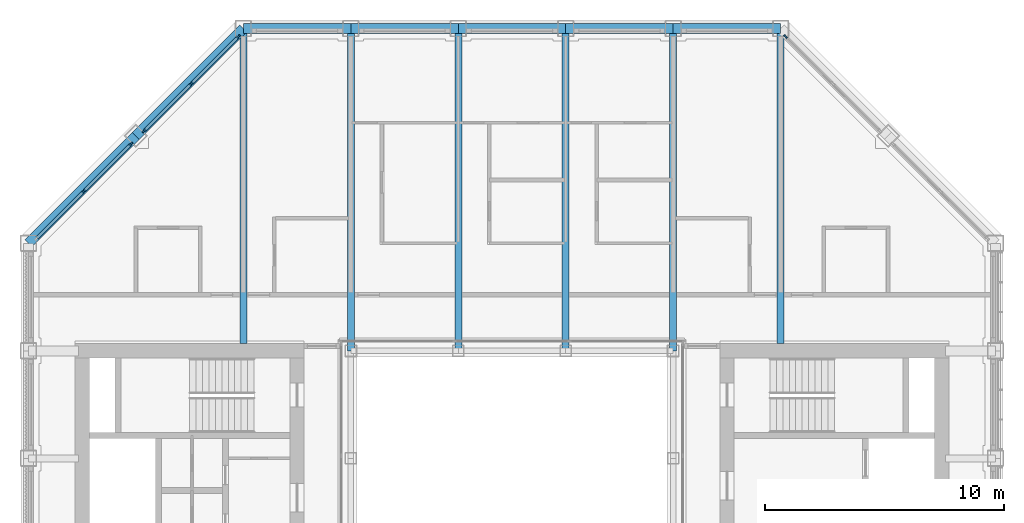
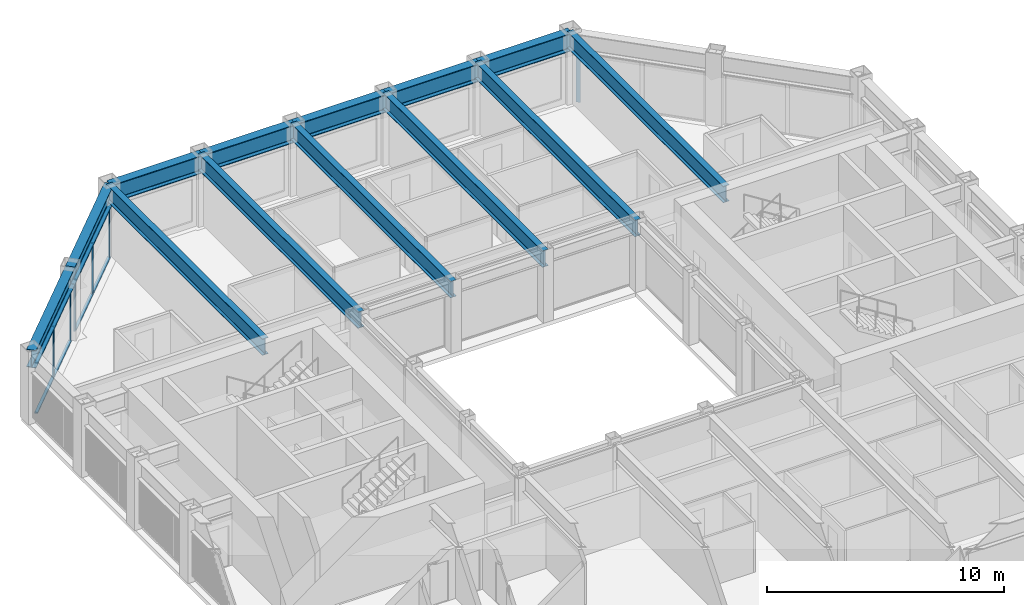
# One storey, part 6 of 17: 14 members, 13 beams, 3 elements without a shape of their own.
"""IFC4 building model written with IfcOpenShell, lengths in metres."""

from ifc_helpers import new_model, si_unit, direction, frame, origin, origin_2d, place, context, subcontext, project, spatial, rectangle, i_section, extrude, material, material_profile, profile_set, type_object, element, aggregate, save


model = new_model("IFC4")

# Units and contexts
model_context = context("Model", 3, precision=1e-05, world=origin(), true_north=direction((0.0, 1.0)))
body_context = subcontext(model_context, "Body", "Model", "MODEL_VIEW")
ifc_project = project(units=[si_unit("LENGTHUNIT", "METRE"), si_unit("AREAUNIT", "SQUARE_METRE"), si_unit("VOLUMEUNIT", "CUBIC_METRE"), si_unit("PLANEANGLEUNIT", "RADIAN"), si_unit("MASSUNIT", "GRAM", prefix="KILO")], contexts=[model_context])

# Site, building, storey
site_placement = place(None, origin())
site = spatial("IfcSite", under=ifc_project, at=site_placement, CompositionType="ELEMENT")
building_placement = place(site_placement, origin())
building = spatial("IfcBuilding", under=site, at=building_placement, Name="Msasa Ring Tower", CompositionType="ELEMENT")
storey_placement = place(building_placement, frame((0.0, 0.0, 238.300048828125)))
storey = spatial("IfcBuildingStorey", under=building, at=storey_placement, Name="L62", CompositionType="ELEMENT", Elevation=238.300048828125)

# Curtain wall, member
ifc_material_1 = material(Name="Aluminium curtain wall with clear glass", Category="aluminium")
curtain_wall_type = type_object("IfcCurtainWallType", Name="CW-C CHAMFER CORNER CURTAIN WALL", PredefinedType="NOTDEFINED", material=ifc_material_1)
curtain_wall_1_placement = place(storey_placement, origin())
curtain_wall_1 = element("IfcCurtainWall", 1, at=curtain_wall_1_placement, inside=storey, type_object=curtain_wall_type, Name="Chamfer corner curtain wall NE L62", PredefinedType="NOTDEFINED")
ifc_material_2 = material(Name="Aluminium mullion", Category="aluminium")
ifc_material_profile_1 = material_profile(ifc_material_2, rectangle(XDim=0.06494140625, YDim=0.179931640625, at=origin_2d()), Name="AL 65x180")
ifc_profile_set_1 = profile_set([ifc_material_profile_1], Name="Aluminium mullion")
member_type_1 = type_object("IfcMemberType", Name="CW-C MULLION 65x180", PredefinedType="MULLION", material=ifc_profile_set_1)
member_1_placement = place(storey_placement, frame((11.453369140625, 19.9052734375, 0.0), z_axis=(0.0, 0.0, 1.0), x_axis=(-0.707106781187, -0.707106781187, 0.0)))
member_1 = element("IfcMember", 2, at=member_1_placement, type_object=member_type_1, Name="CW-C mullion 3", PredefinedType="MULLION", context=body_context, shape_type="SweptSolid", body=[
    extrude(rectangle(XDim=0.06494140625, YDim=0.179931640625, at=origin_2d()), origin(), (0.0, 0.0, 1.0), 2.62890625),
])
aggregate(curtain_wall_1, [member_1])

# Curtain wall, members
curtain_wall_2_placement = place(storey_placement, origin())
curtain_wall_2 = element("IfcCurtainWall", 3, at=curtain_wall_2_placement, inside=storey, type_object=curtain_wall_type, Name="Chamfer corner curtain wall NW L62", PredefinedType="NOTDEFINED")
member_2_placement = place(storey_placement, frame((-15.953369140625, 15.4052734375, 0.0), z_axis=(0.0, 0.0, 1.0), x_axis=(0.707106781187, -0.707106781187, 0.0)))
member_2 = element("IfcMember", 4, at=member_2_placement, type_object=member_type_1, Name="CW-C mullion 1", PredefinedType="MULLION", context=body_context, shape_type="SweptSolid", body=[
    extrude(rectangle(XDim=0.06494140625, YDim=0.179931640625, at=origin_2d()), origin(), (0.0, 0.0, 1.0), 2.62890625),
])
member_3_placement = place(storey_placement, frame((-17.92919921875, 13.42919921875, 0.0), z_axis=(0.0, 0.0, 1.0), x_axis=(0.707106781187, -0.707106781187, 0.0)))
member_3 = element("IfcMember", 5, at=member_3_placement, type_object=member_type_1, Name="CW-C mullion 2", PredefinedType="MULLION", context=body_context, shape_type="SweptSolid", body=[
    extrude(rectangle(XDim=0.06494140625, YDim=0.179931640625, at=origin_2d()), origin(), (0.0, 0.0, 1.0), 2.62890625),
])

curtain_wall_3_placement = place(storey_placement, origin())
curtain_wall_3 = element("IfcCurtainWall", 6, at=curtain_wall_3_placement, inside=storey, type_object=curtain_wall_type, Name="Chamfer corner curtain wall NW L62", PredefinedType="NOTDEFINED")
member_4_placement = place(storey_placement, frame((-11.453369140625, 19.9052734375, 0.0), z_axis=(0.0, 0.0, 1.0), x_axis=(0.707106781187, -0.707106781187, 0.0)))
member_4 = element("IfcMember", 7, at=member_4_placement, type_object=member_type_1, Name="CW-C mullion 1", PredefinedType="MULLION", context=body_context, shape_type="SweptSolid", body=[
    extrude(rectangle(XDim=0.06494140625, YDim=0.179931640625, at=origin_2d()), origin(), (0.0, 0.0, 1.0), 2.62890625),
])
member_5_placement = place(storey_placement, frame((-13.42919921875, 17.92919921875, 0.0), z_axis=(0.0, 0.0, 1.0), x_axis=(0.707106781187, -0.707106781187, 0.0)))
member_5 = element("IfcMember", 8, at=member_5_placement, type_object=member_type_1, Name="CW-C mullion 2", PredefinedType="MULLION", context=body_context, shape_type="SweptSolid", body=[
    extrude(rectangle(XDim=0.06494140625, YDim=0.179931640625, at=origin_2d()), origin(), (0.0, 0.0, 1.0), 2.62890625),
])
member_6_placement = place(storey_placement, frame((-15.4052734375, 15.953369140625, 0.0), z_axis=(0.0, 0.0, 1.0), x_axis=(0.707106781187, -0.707106781187, 0.0)))
member_6 = element("IfcMember", 9, at=member_6_placement, type_object=member_type_1, Name="CW-C mullion 3", PredefinedType="MULLION", context=body_context, shape_type="SweptSolid", body=[
    extrude(rectangle(XDim=0.06494140625, YDim=0.179931640625, at=origin_2d()), origin(), (0.0, 0.0, 1.0), 2.62890625),
])

# Member
ifc_material_3 = material(Name="Aluminium transom", Category="aluminium")
ifc_material_profile_2 = material_profile(ifc_material_3, rectangle(XDim=0.139892578125, YDim=0.06494140625, at=origin_2d()), Name="AL 65x140")
ifc_profile_set_2 = profile_set([ifc_material_profile_2], Name="Aluminium transom")
member_type_2 = type_object("IfcMemberType", Name="CW-C TRANSOM 65x140", PredefinedType="USERDEFINED", material=ifc_profile_set_2)
member_7_placement = place(storey_placement, frame((-15.976318359375, 15.38232421875, 0.032470703125), z_axis=(-0.707106781187, -0.707106781187, 0.0), x_axis=(0.707106781187, -0.707106781187, 0.0)))
member_7 = element("IfcMember", 10, at=member_7_placement, type_object=member_type_2, Name="CW-C transom 1.1", ObjectType="TRANSOM", PredefinedType="USERDEFINED", context=body_context, shape_type="SweptSolid", body=[
    extrude(rectangle(XDim=0.139892578125, YDim=0.06494140625, at=origin_2d()), origin(), (0.0, 0.0, 1.0), 2.729248046875),
])

member_8_placement = place(storey_placement, frame((-15.976318359375, 15.38232421875, 2.596435546875), z_axis=(-0.707106781187, -0.707106781187, 0.0), x_axis=(0.707106781187, -0.707106781187, 0.0)))
member_8 = element("IfcMember", 11, at=member_8_placement, type_object=member_type_2, Name="CW-C transom 1.2", ObjectType="TRANSOM", PredefinedType="USERDEFINED", context=body_context, shape_type="SweptSolid", body=[
    extrude(rectangle(XDim=0.139892578125, YDim=0.06494140625, at=origin_2d()), origin(), (0.0, 0.0, 1.0), 2.729248046875),
])

member_9_placement = place(storey_placement, frame((-17.952392578125, 13.40625, 0.032470703125), z_axis=(-0.707106781187, -0.707106781187, 0.0), x_axis=(0.707106781187, -0.707106781187, 0.0)))
member_9 = element("IfcMember", 12, at=member_9_placement, type_object=member_type_2, Name="CW-C transom 2.1", ObjectType="TRANSOM", PredefinedType="USERDEFINED", context=body_context, shape_type="SweptSolid", body=[
    extrude(rectangle(XDim=0.139892578125, YDim=0.06494140625, at=origin_2d()), origin(), (0.0, 0.0, 1.0), 2.729248046875),
])

member_10_placement = place(storey_placement, frame((-17.952392578125, 13.40625, 2.596435546875), z_axis=(-0.707106781187, -0.707106781187, 0.0), x_axis=(0.707106781187, -0.707106781187, 0.0)))
member_10 = element("IfcMember", 13, at=member_10_placement, type_object=member_type_2, Name="CW-C transom 2.2", ObjectType="TRANSOM", PredefinedType="USERDEFINED", context=body_context, shape_type="SweptSolid", body=[
    extrude(rectangle(XDim=0.139892578125, YDim=0.06494140625, at=origin_2d()), origin(), (0.0, 0.0, 1.0), 2.729248046875),
])

aggregate(curtain_wall_2, [member_2, member_3, member_7, member_8, member_9, member_10])

member_11_placement = place(storey_placement, frame((-11.476318359375, 19.88232421875, 0.032470703125), z_axis=(-0.707106781187, -0.707106781187, 0.0), x_axis=(0.707106781187, -0.707106781187, 0.0)))
member_11 = element("IfcMember", 14, at=member_11_placement, type_object=member_type_2, Name="CW-C transom 1.1", ObjectType="TRANSOM", PredefinedType="USERDEFINED", context=body_context, shape_type="SweptSolid", body=[
    extrude(rectangle(XDim=0.139892578125, YDim=0.06494140625, at=origin_2d()), origin(), (0.0, 0.0, 1.0), 2.729248046875),
])

member_12_placement = place(storey_placement, frame((-11.476318359375, 19.88232421875, 2.596435546875), z_axis=(-0.707106781187, -0.707106781187, 0.0), x_axis=(0.707106781187, -0.707106781187, 0.0)))
member_12 = element("IfcMember", 15, at=member_12_placement, type_object=member_type_2, Name="CW-C transom 1.2", ObjectType="TRANSOM", PredefinedType="USERDEFINED", context=body_context, shape_type="SweptSolid", body=[
    extrude(rectangle(XDim=0.139892578125, YDim=0.06494140625, at=origin_2d()), origin(), (0.0, 0.0, 1.0), 2.729248046875),
])

member_13_placement = place(storey_placement, frame((-13.452392578125, 17.90625, 0.032470703125), z_axis=(-0.707106781187, -0.707106781187, 0.0), x_axis=(0.707106781187, -0.707106781187, 0.0)))
member_13 = element("IfcMember", 16, at=member_13_placement, type_object=member_type_2, Name="CW-C transom 2.1", ObjectType="TRANSOM", PredefinedType="USERDEFINED", context=body_context, shape_type="SweptSolid", body=[
    extrude(rectangle(XDim=0.139892578125, YDim=0.06494140625, at=origin_2d()), origin(), (0.0, 0.0, 1.0), 2.729248046875),
])

member_14_placement = place(storey_placement, frame((-13.452392578125, 17.90625, 2.596435546875), z_axis=(-0.707106781187, -0.707106781187, 0.0), x_axis=(0.707106781187, -0.707106781187, 0.0)))
member_14 = element("IfcMember", 17, at=member_14_placement, type_object=member_type_2, Name="CW-C transom 2.2", ObjectType="TRANSOM", PredefinedType="USERDEFINED", context=body_context, shape_type="SweptSolid", body=[
    extrude(rectangle(XDim=0.139892578125, YDim=0.06494140625, at=origin_2d()), origin(), (0.0, 0.0, 1.0), 2.729248046875),
])

aggregate(curtain_wall_3, [member_4, member_5, member_6, member_11, member_12, member_13, member_14])

# Beams
ifc_material_4 = material(Name="Steel S355", Category="steel")
ifc_material_profile_3 = material_profile(ifc_material_4, i_section(OverallWidth=0.293701171875, OverallDepth=0.850830078125, WebThickness=0.01611328125, FlangeThickness=0.02685546875, FilletRadius=0.017822265625, at=origin_2d()), Name="UB 838x292x226")
ifc_profile_set_3 = profile_set([ifc_material_profile_3], Name="Steel S355")
beam_type_1 = type_object("IfcBeamType", Name="FB5 UB 838x292x226", PredefinedType="BEAM", material=ifc_profile_set_3)
beam_1_placement = place(storey_placement, frame((-11.25, 20.25, 3.12451171875), z_axis=(0.0, -1.0, 0.0), x_axis=(1.0, 0.0, 0.0)))
element("IfcBeam", 18, at=beam_1_placement, inside=storey, type_object=beam_type_1, Name="Floor beam N-11.25 under L63", PredefinedType="BEAM", context=body_context, shape_type="SweptSolid", body=[
    extrude(i_section(OverallWidth=0.293701171875, OverallDepth=0.850830078125, WebThickness=0.01611328125, FlangeThickness=0.02685546875, FilletRadius=0.017822265625, at=origin_2d()), origin(), (0.0, 0.0, 1.0), 13.199951171875),
])
for number, where, z_axis, x_axis, name in (
    (19, (-6.75, 20.25, 3.12451171875), (0.0, -1.0, 0.0), (1.0, 0.0, 0.0), "Floor beam N-6.75 under L63"),
    (20, (-2.25, 20.25, 3.12451171875), (0.0, -1.0, 0.0), (1.0, 0.0, 0.0), "Floor beam N-2.25 under L63"),
    (21, (2.25, 20.25, 3.12451171875), (0.0, -1.0, 0.0), (1.0, 0.0, 0.0), "Floor beam N+2.25 under L63"),
    (22, (6.75, 20.25, 3.12451171875), (0.0, -1.0, 0.0), (1.0, 0.0, 0.0), "Floor beam N+6.75 under L63"),
):
    element("IfcBeam", number, at=place(storey_placement, frame(where, z_axis=z_axis, x_axis=x_axis)), inside=storey, type_object=beam_type_1, Name=name, PredefinedType="BEAM", context=body_context, shape_type="SweptSolid", body=[
        extrude(i_section(OverallWidth=0.293701171875, OverallDepth=0.850830078125, WebThickness=0.01611328125, FlangeThickness=0.02685546875, FilletRadius=0.017822265625, at=origin_2d()), origin(), (0.0, 0.0, 1.0), 13.5),
    ])
beam_2_placement = place(storey_placement, frame((11.25, 20.25, 3.12451171875), z_axis=(0.0, -1.0, 0.0), x_axis=(1.0, 0.0, 0.0)))
element("IfcBeam", 23, at=beam_2_placement, inside=storey, type_object=beam_type_1, Name="Floor beam N+11.25 under L63", PredefinedType="BEAM", context=body_context, shape_type="SweptSolid", body=[
    extrude(i_section(OverallWidth=0.293701171875, OverallDepth=0.850830078125, WebThickness=0.01611328125, FlangeThickness=0.02685546875, FilletRadius=0.017822265625, at=origin_2d()), origin(), (0.0, 0.0, 1.0), 13.199951171875),
])
ifc_material_5 = material(Name="Steel S355", Category="steel")
ifc_material_profile_4 = material_profile(ifc_material_5, i_section(OverallWidth=0.42041015625, OverallDepth=0.9208984375, WebThickness=0.021484375, FlangeThickness=0.03662109375, FilletRadius=0.024169921875, at=origin_2d()), Name="UB 914x419x388")
ifc_profile_set_4 = profile_set([ifc_material_profile_4], Name="Steel S355")
beam_type_2 = type_object("IfcBeamType", Name="SB1 UB 914x419x388", PredefinedType="SPANDREL", material=ifc_profile_set_4)
for number, where, z_axis, x_axis, name in (
    (24, (11.25, 20.25, 3.08935546875), (-1.0, 0.0, 0.0), (0.0, -1.0, 0.0), "Spandrel N+11.25 to N+6.75 under L63"),
    (25, (6.75, 20.25, 3.08935546875), (-1.0, 0.0, 0.0), (0.0, -1.0, 0.0), "Spandrel N+6.75 to N+2.25 under L63"),
    (26, (2.25, 20.25, 3.08935546875), (-1.0, 0.0, 0.0), (0.0, -1.0, 0.0), "Spandrel N+2.25 to N-2.25 under L63"),
    (27, (-2.25, 20.25, 3.08935546875), (-1.0, 0.0, 0.0), (0.0, -1.0, 0.0), "Spandrel N-2.25 to N-6.75 under L63"),
    (28, (-6.75, 20.25, 3.08935546875), (-1.0, 0.0, 0.0), (0.0, -1.0, 0.0), "Spandrel N-6.75 to N-11.25 under L63"),
):
    element("IfcBeam", number, at=place(storey_placement, frame(where, z_axis=z_axis, x_axis=x_axis)), inside=storey, type_object=beam_type_2, Name=name, PredefinedType="SPANDREL", context=body_context, shape_type="SweptSolid", body=[
        extrude(i_section(OverallWidth=0.42041015625, OverallDepth=0.9208984375, WebThickness=0.021484375, FlangeThickness=0.03662109375, FilletRadius=0.024169921875, at=origin_2d()), origin(), (0.0, 0.0, 1.0), 4.5),
    ])
for number, where, z_axis, x_axis, name in (
    (29, (-11.25, 20.25, 3.08935546875), (-0.707106781187, -0.707106781187, 0.0), (0.707106781187, -0.707106781187, 0.0), "Spandrel N-11.25 to NW under L63"),
    (30, (-15.75, 15.75, 3.08935546875), (-0.707106781187, -0.707106781187, 0.0), (0.707106781187, -0.707106781187, 0.0), "Spandrel NW to W+11.25 under L63"),
):
    element("IfcBeam", number, at=place(storey_placement, frame(where, z_axis=z_axis, x_axis=x_axis)), inside=storey, type_object=beam_type_2, Name=name, PredefinedType="SPANDREL", context=body_context, shape_type="SweptSolid", body=[
        extrude(i_section(OverallWidth=0.42041015625, OverallDepth=0.9208984375, WebThickness=0.021484375, FlangeThickness=0.03662109375, FilletRadius=0.024169921875, at=origin_2d()), origin(), (0.0, 0.0, 1.0), 6.364013671875),
    ])

save(model, "model.ifc")
